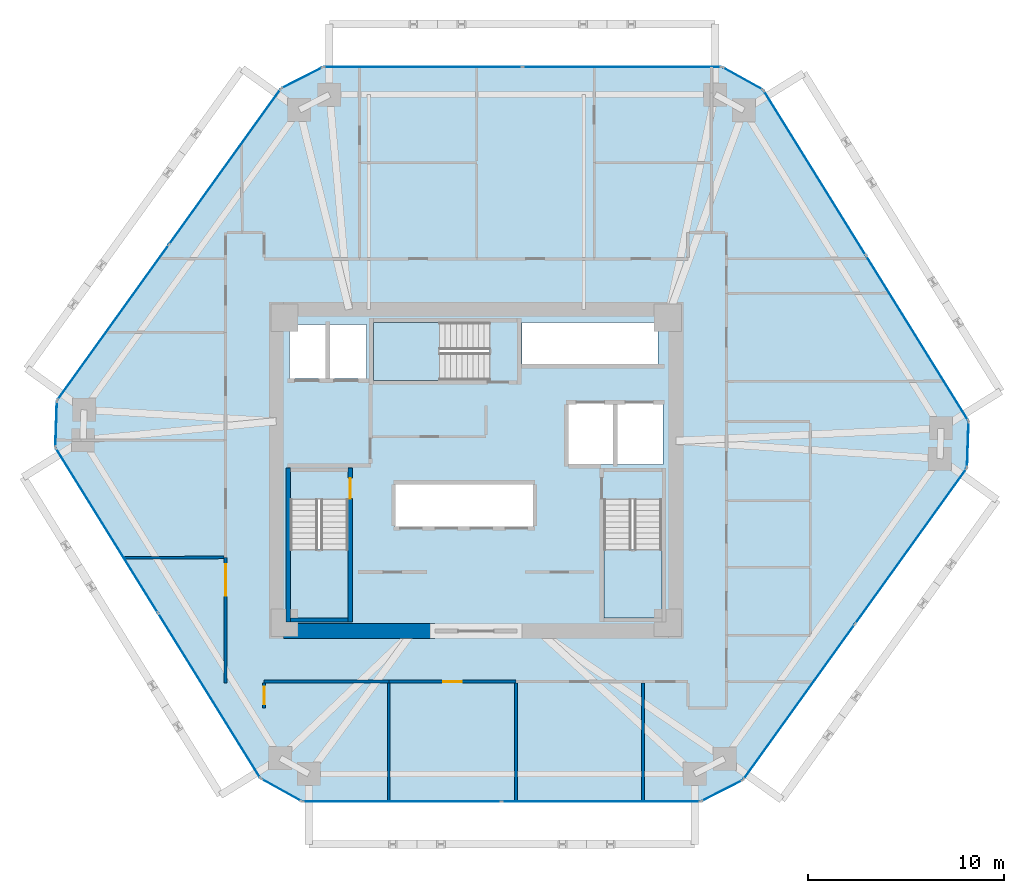
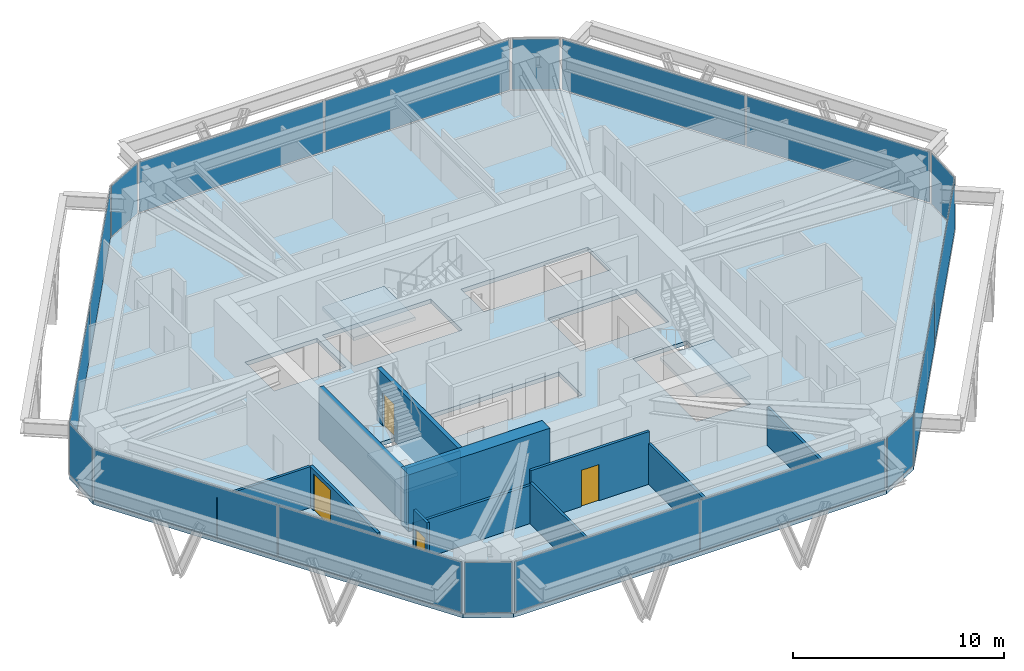
# One storey, part 9 of 14: 18 plates, 12 walls, 4 doors, 4 slabs, 4 openings, 15 elements without a shape of their own.
"""IFC4 building model written with IfcOpenShell, lengths in metres."""

from ifc_helpers import new_model, si_unit, direction, frame, frame_2d, origin, origin_2d, place, context, subcontext, project, spatial, polyline, rectangle, outline, extrude, source, transform, mapped, material, layer, layer_set, type_object, type_shapes, element, fill, aggregate, save


model = new_model("IFC4")

# Units and contexts
model_context = context("Model", 3, precision=1e-05, world=origin(), true_north=direction((0.0, 1.0)))
body_context = subcontext(model_context, "Body", "Model", "MODEL_VIEW")
ifc_project = project(units=[si_unit("LENGTHUNIT", "METRE"), si_unit("AREAUNIT", "SQUARE_METRE"), si_unit("VOLUMEUNIT", "CUBIC_METRE"), si_unit("PLANEANGLEUNIT", "RADIAN"), si_unit("MASSUNIT", "GRAM", prefix="KILO")], contexts=[model_context])

# Site, building, storey
site_placement = place(None, origin())
site = spatial("IfcSite", under=ifc_project, at=site_placement, CompositionType="ELEMENT")
building_placement = place(site_placement, origin())
building = spatial("IfcBuilding", under=site, at=building_placement, Name="Durnholm Broadcast Tower", CompositionType="ELEMENT")
storey_placement = place(building_placement, frame((0.0, 0.0, 114.0)))
storey = spatial("IfcBuildingStorey", under=building, at=storey_placement, Name="L30", CompositionType="ELEMENT", Elevation=114.0)

# Slab
ifc_material_1 = material(Name="Concrete C50/60", Category="concrete")
ifc_layer_1 = layer(ifc_material_1, 0.239990234375)
ifc_layer_set_1 = layer_set([ifc_layer_1], Name="Concrete C50/60")
slab_type_1 = type_object("IfcSlabType", Name="SLAB-FLR-240", PredefinedType="FLOOR", material=ifc_layer_set_1)
slab_1_placement = place(storey_placement, frame((0.0, 0.0, -0.239990234375)))
element("IfcSlab", 1, at=slab_1_placement, inside=storey, type_object=slab_type_1, Name="L30 structural floor slab", PredefinedType="FLOOR", context=body_context, shape_type="SweptSolid", body=[
    extrude(outline(polyline([(-11.012451171875, -15.77001953125), (-8.915283203125, -16.93701171875), (11.51416015625, -16.93701171875), (13.649658203125, -15.841796875), (25.11279296875, 0.114990234375), (25.1943359375, 2.513671875), (14.6904296875, 19.447998046875), (12.59326171875, 20.614990234375), (-7.836181640625, 20.614990234375), (-9.9716796875, 19.519775390625), (-21.434814453125, 3.56298828125), (-21.516357421875, 1.164306640625), (-11.012451171875, -15.77001953125)]), holes=[polyline([(-6.5400390625, -1.5), (-9.5, -1.5), (-9.5, -7.550048828125), (-6.5400390625, -7.550048828125), (-6.5400390625, -1.5)]), polyline([(9.5, -7.550048828125), (9.5, -1.5), (6.5400390625, -1.5), (6.5400390625, -7.550048828125), (9.5, -7.550048828125)]), polyline([(2.949951171875, -0.699951171875), (-4.14990234375, -0.699951171875), (-4.14990234375, -2.89990234375), (2.949951171875, -2.89990234375), (2.949951171875, -0.699951171875)]), polyline([(9.550048828125, 3.39990234375), (4.699951171875, 3.39990234375), (4.699951171875, 0.300048828125), (9.550048828125, 0.300048828125), (9.550048828125, 3.39990234375)]), polyline([(-5.60009765625, 7.449951171875), (-9.550048828125, 7.449951171875), (-9.550048828125, 4.699951171875), (-5.60009765625, 4.699951171875), (-5.60009765625, 7.449951171875)]), polyline([(-5.25, 4.60009765625), (0.699951171875, 4.60009765625), (0.699951171875, 7.56005859375), (-5.25, 7.56005859375), (-5.25, 4.60009765625)]), polyline([(9.31005859375, 7.550048828125), (2.35009765625, 7.550048828125), (2.35009765625, 5.39990234375), (9.31005859375, 5.39990234375), (9.31005859375, 7.550048828125)])]), origin(), (0.0, 0.0, 1.0), 0.239990234375),
])

# Stair, slab
stair_type = type_object("IfcStairType", Name="STAIR-DL-20R1650", PredefinedType="HALF_TURN_STAIR", material=ifc_material_1)
stair_1_placement = place(storey_placement, origin())
stair_1 = element("IfcStair", 2, at=stair_1_placement, inside=storey, type_object=stair_type, Name="L30 ST-1", PredefinedType="HALF_TURN_STAIR")
ifc_layer_2 = layer(ifc_material_1, 0.199951171875)
ifc_layer_set_2 = layer_set([ifc_layer_2], Name="Concrete C50/60")
slab_type_2 = type_object("IfcSlabType", Name="SLAB-LND-200", PredefinedType="LANDING", material=ifc_layer_set_2)
slab_2_placement = place(storey_placement, frame((0.0, 0.0, 1.449951171875)))
slab_2 = element("IfcSlab", 3, at=slab_2_placement, type_object=slab_type_2, Name="ST-1 landing 1", PredefinedType="LANDING", context=body_context, shape_type="SweptSolid", body=[
    extrude(outline(polyline([(-9.5, -4.06494140625), (-9.5, -7.550048828125), (-6.5400390625, -7.550048828125), (-6.5400390625, -4.06494140625), (-9.5, -4.06494140625)])), origin(), (0.0, 0.0, 1.0), 0.199951171875),
])
aggregate(stair_1, [slab_2])

stair_2_placement = place(storey_placement, origin())
stair_2 = element("IfcStair", 4, at=stair_2_placement, inside=storey, type_object=stair_type, Name="L30 ST-2", PredefinedType="HALF_TURN_STAIR")
slab_3_placement = place(storey_placement, frame((0.0, 0.0, 1.449951171875)))
slab_3 = element("IfcSlab", 5, at=slab_3_placement, type_object=slab_type_2, Name="ST-2 landing 1", PredefinedType="LANDING", context=body_context, shape_type="SweptSolid", body=[
    extrude(outline(polyline([(6.5400390625, -4.06494140625), (6.5400390625, -7.550048828125), (9.5, -7.550048828125), (9.5, -4.06494140625), (6.5400390625, -4.06494140625)])), origin(), (0.0, 0.0, 1.0), 0.199951171875),
])
aggregate(stair_2, [slab_3])

stair_3_placement = place(storey_placement, origin())
stair_3 = element("IfcStair", 6, at=stair_3_placement, inside=storey, type_object=stair_type, Name="L30 ST-3", PredefinedType="HALF_TURN_STAIR")
slab_4_placement = place(storey_placement, frame((0.0, 0.0, 1.449951171875)))
slab_4 = element("IfcSlab", 7, at=slab_4_placement, type_object=slab_type_2, Name="ST-3 landing 1", PredefinedType="LANDING", context=body_context, shape_type="SweptSolid", body=[
    extrude(outline(polyline([(-1.864990234375, 7.56005859375), (-5.25, 7.56005859375), (-5.25, 4.60009765625), (-1.864990234375, 4.60009765625), (-1.864990234375, 7.56005859375)])), origin(), (0.0, 0.0, 1.0), 0.199951171875),
])
aggregate(stair_3, [slab_4])

# Curtain wall, plate
ifc_material_2 = material(Name="Aluminium and Solar Control IGU", Category="aluminium")
ifc_layer_3 = layer(ifc_material_2, 0.1650390625)
ifc_layer_set_3 = layer_set([ifc_layer_3], Name="Aluminium and Solar Control IGU")
curtain_wall_type_1 = type_object("IfcCurtainWallType", Name="CW-SYS-5", PredefinedType="NOTDEFINED", material=ifc_layer_set_3)
curtain_wall_1_placement = place(storey_placement, origin())
curtain_wall_1 = element("IfcCurtainWall", 8, at=curtain_wall_1_placement, inside=storey, type_object=curtain_wall_type_1, Name="L30 curtain wall CW-CORNER CW-L30-CRN-01", PredefinedType="NOTDEFINED")
ifc_material_3 = material(Name="Low-E Laminated Insulating Glass", Category="glass")
ifc_layer_4 = layer(ifc_material_3, 0.030029296875)
ifc_layer_set_4 = layer_set([ifc_layer_4], Name="Low-E Laminated Insulating Glass")
plate_type_1 = type_object("IfcPlateType", Name="CW-SYS-5-PNL", PredefinedType="CURTAIN_PANEL", material=ifc_layer_set_4)
shared_shape_1 = source(origin(), body_context, "Body", "SweptSolid", [
    extrude(rectangle(XDim=2.27001953125, YDim=0.030029296875, at=origin_2d()), origin(), (0.0, 0.0, 1.0), 2.929931640625),
])
type_shapes(plate_type_1, [shared_shape_1])
plate_1_placement = place(storey_placement, frame((-21.4755859375, 2.36376953125, 0.06494140625), z_axis=(0.0, 0.0, 1.0), x_axis=(0.033916937775, 0.999424655155, 0.0)))
plate_1 = element("IfcPlate", 9, at=plate_1_placement, type_object=plate_type_1, Name="CW-CORNER panel 1.1", PredefinedType="CURTAIN_PANEL", context=body_context, shape_type="MappedRepresentation", body=[
    mapped(shared_shape_1, transform((0.0, 0.0, 0.0), x_axis=(1.0, 0.0, 0.0), y_axis=(0.0, 1.0, 0.0), z_axis=(0.0, 0.0, 1.0), scale=1.0)),
])
aggregate(curtain_wall_1, [plate_1])

curtain_wall_2_placement = place(storey_placement, origin())
curtain_wall_2 = element("IfcCurtainWall", 10, at=curtain_wall_2_placement, inside=storey, type_object=curtain_wall_type_1, Name="L30 curtain wall CW-CORNER CW-L30-CRN-03", PredefinedType="NOTDEFINED")
plate_2_placement = place(storey_placement, frame((-8.904052734375, 20.0673828125, 0.06494140625), z_axis=(0.0, 0.0, 1.0), x_axis=(0.889788396392, 0.45637332267, 0.0)))
plate_2 = element("IfcPlate", 11, at=plate_2_placement, type_object=plate_type_1, Name="CW-CORNER panel 1.1", PredefinedType="CURTAIN_PANEL", context=body_context, shape_type="MappedRepresentation", body=[
    mapped(shared_shape_1, transform((0.0, 0.0, 0.0), x_axis=(1.0, 0.0, 0.0), y_axis=(0.0, 1.0, 0.0), z_axis=(0.0, 0.0, 1.0), scale=1.0)),
])
aggregate(curtain_wall_2, [plate_2])

curtain_wall_3_placement = place(storey_placement, origin())
curtain_wall_3 = element("IfcCurtainWall", 12, at=curtain_wall_3_placement, inside=storey, type_object=curtain_wall_type_1, Name="L30 curtain wall CW-CORNER CW-L30-CRN-05", PredefinedType="NOTDEFINED")
plate_3_placement = place(storey_placement, frame((13.641845703125, 20.031494140625, 0.06494140625), z_axis=(0.0, 0.0, 1.0), x_axis=(0.873822953715, -0.486244224192, 0.0)))
plate_3 = element("IfcPlate", 13, at=plate_3_placement, type_object=plate_type_1, Name="CW-CORNER panel 1.1", PredefinedType="CURTAIN_PANEL", context=body_context, shape_type="MappedRepresentation", body=[
    mapped(shared_shape_1, transform((0.0, 0.0, 0.0), x_axis=(1.0, 0.0, 0.0), y_axis=(0.0, 1.0, 0.0), z_axis=(0.0, 0.0, 1.0), scale=1.0)),
])
aggregate(curtain_wall_3, [plate_3])

curtain_wall_4_placement = place(storey_placement, origin())
curtain_wall_4 = element("IfcCurtainWall", 14, at=curtain_wall_4_placement, inside=storey, type_object=curtain_wall_type_1, Name="L30 curtain wall CW-CORNER CW-L30-CRN-07", PredefinedType="NOTDEFINED")
plate_4_placement = place(storey_placement, frame((25.153564453125, 1.314208984375, 0.06494140625), z_axis=(0.0, 0.0, 1.0), x_axis=(-0.033916937775, -0.999424655155, 0.0)))
plate_4 = element("IfcPlate", 15, at=plate_4_placement, type_object=plate_type_1, Name="CW-CORNER panel 1.1", PredefinedType="CURTAIN_PANEL", context=body_context, shape_type="MappedRepresentation", body=[
    mapped(shared_shape_1, transform((0.0, 0.0, 0.0), x_axis=(1.0, 0.0, 0.0), y_axis=(0.0, 1.0, 0.0), z_axis=(0.0, 0.0, 1.0), scale=1.0)),
])
aggregate(curtain_wall_4, [plate_4])

curtain_wall_5_placement = place(storey_placement, origin())
curtain_wall_5 = element("IfcCurtainWall", 16, at=curtain_wall_5_placement, inside=storey, type_object=curtain_wall_type_1, Name="L30 curtain wall CW-CORNER CW-L30-CRN-09", PredefinedType="NOTDEFINED")
plate_5_placement = place(storey_placement, frame((12.58203125, -16.389404296875, 0.06494140625), z_axis=(0.0, 0.0, 1.0), x_axis=(-0.889788396392, -0.45637332267, 0.0)))
plate_5 = element("IfcPlate", 17, at=plate_5_placement, type_object=plate_type_1, Name="CW-CORNER panel 1.1", PredefinedType="CURTAIN_PANEL", context=body_context, shape_type="MappedRepresentation", body=[
    mapped(shared_shape_1, transform((0.0, 0.0, 0.0), x_axis=(1.0, 0.0, 0.0), y_axis=(0.0, 1.0, 0.0), z_axis=(0.0, 0.0, 1.0), scale=1.0)),
])
aggregate(curtain_wall_5, [plate_5])

curtain_wall_6_placement = place(storey_placement, origin())
curtain_wall_6 = element("IfcCurtainWall", 18, at=curtain_wall_6_placement, inside=storey, type_object=curtain_wall_type_1, Name="L30 curtain wall CW-CORNER CW-L30-CRN-11", PredefinedType="NOTDEFINED")
plate_6_placement = place(storey_placement, frame((-9.9638671875, -16.353515625, 0.06494140625), z_axis=(0.0, 0.0, 1.0), x_axis=(-0.873822953715, 0.486244224192, 0.0)))
plate_6 = element("IfcPlate", 19, at=plate_6_placement, type_object=plate_type_1, Name="CW-CORNER panel 1.1", PredefinedType="CURTAIN_PANEL", context=body_context, shape_type="MappedRepresentation", body=[
    mapped(shared_shape_1, transform((0.0, 0.0, 0.0), x_axis=(1.0, 0.0, 0.0), y_axis=(0.0, 1.0, 0.0), z_axis=(0.0, 0.0, 1.0), scale=1.0)),
])
aggregate(curtain_wall_6, [plate_6])

# Curtain wall, plates
ifc_layer_5 = layer(ifc_material_2, 0.18994140625)
ifc_layer_set_5 = layer_set([ifc_layer_5], Name="Aluminium and Solar Control IGU")
curtain_wall_type_2 = type_object("IfcCurtainWallType", Name="CW-SYS-3", PredefinedType="NOTDEFINED", material=ifc_layer_set_5)
curtain_wall_7_placement = place(storey_placement, origin())
curtain_wall_7 = element("IfcCurtainWall", 20, at=curtain_wall_7_placement, inside=storey, type_object=curtain_wall_type_2, Name="L30 curtain wall CW-Z12-VIS CW-L30-F02", PredefinedType="NOTDEFINED")
ifc_layer_6 = layer(ifc_material_3, 0.031982421875)
ifc_layer_set_6 = layer_set([ifc_layer_6], Name="Low-E Laminated Insulating Glass")
plate_type_2 = type_object("IfcPlateType", Name="CW-SYS-3-PNL", PredefinedType="CURTAIN_PANEL", material=ifc_layer_set_6)
shared_shape_2 = source(origin(), body_context, "Body", "SweptSolid", [
    extrude(rectangle(XDim=9.71875, YDim=0.031982421875, at=origin_2d()), origin(), (0.0, 0.0, 1.0), 2.919921875),
])
plate_7_placement = place(storey_placement, frame((-18.558837890625, 7.56640625, 0.070068359375), z_axis=(0.0, 0.0, 1.0), x_axis=(0.583445473786, 0.812152312759, 0.0)))
plate_7 = element("IfcPlate", 21, at=plate_7_placement, type_object=plate_type_2, Name="CW-Z12-VIS panel 1.1", PredefinedType="CURTAIN_PANEL", context=body_context, shape_type="MappedRepresentation", body=[
    mapped(shared_shape_2, transform((0.0, 0.0, 0.0), x_axis=(1.0, 0.0, 0.0), y_axis=(0.0, 1.0, 0.0), z_axis=(0.0, 0.0, 1.0), scale=1.0)),
])
plate_8_placement = place(storey_placement, frame((-12.84765625, 15.516357421875, 0.070068359375), z_axis=(0.0, 0.0, 1.0), x_axis=(0.583445473786, 0.812152312759, 0.0)))
plate_8 = element("IfcPlate", 22, at=plate_8_placement, type_object=plate_type_2, Name="CW-Z12-VIS panel 2.1", PredefinedType="CURTAIN_PANEL", context=body_context, shape_type="MappedRepresentation", body=[
    mapped(shared_shape_2, transform((0.0, 0.0, 0.0), x_axis=(1.0, 0.0, 0.0), y_axis=(0.0, 1.0, 0.0), z_axis=(0.0, 0.0, 1.0), scale=1.0)),
])
aggregate(curtain_wall_7, [plate_7, plate_8])

curtain_wall_8_placement = place(storey_placement, origin())
curtain_wall_8 = element("IfcCurtainWall", 23, at=curtain_wall_8_placement, inside=storey, type_object=curtain_wall_type_2, Name="L30 curtain wall CW-Z12-VIS CW-L30-F08", PredefinedType="NOTDEFINED")
plate_9_placement = place(storey_placement, frame((22.23681640625, -3.888427734375, 0.070068359375), z_axis=(0.0, 0.0, 1.0), x_axis=(-0.583445473786, -0.812152312759, 0.0)))
plate_9 = element("IfcPlate", 24, at=plate_9_placement, type_object=plate_type_2, Name="CW-Z12-VIS panel 1.1", PredefinedType="CURTAIN_PANEL", context=body_context, shape_type="MappedRepresentation", body=[
    mapped(shared_shape_2, transform((0.0, 0.0, 0.0), x_axis=(1.0, 0.0, 0.0), y_axis=(0.0, 1.0, 0.0), z_axis=(0.0, 0.0, 1.0), scale=1.0)),
])
plate_10_placement = place(storey_placement, frame((16.525634765625, -11.83837890625, 0.070068359375), z_axis=(0.0, 0.0, 1.0), x_axis=(-0.583445473786, -0.812152312759, 0.0)))
plate_10 = element("IfcPlate", 25, at=plate_10_placement, type_object=plate_type_2, Name="CW-Z12-VIS panel 2.1", PredefinedType="CURTAIN_PANEL", context=body_context, shape_type="MappedRepresentation", body=[
    mapped(shared_shape_2, transform((0.0, 0.0, 0.0), x_axis=(1.0, 0.0, 0.0), y_axis=(0.0, 1.0, 0.0), z_axis=(0.0, 0.0, 1.0), scale=1.0)),
])
aggregate(curtain_wall_8, [plate_9, plate_10])

curtain_wall_9_placement = place(storey_placement, origin())
curtain_wall_9 = element("IfcCurtainWall", 26, at=curtain_wall_9_placement, inside=storey, type_object=curtain_wall_type_2, Name="L30 curtain wall CW-Z12-VIS CW-L30-F04", PredefinedType="NOTDEFINED")
shared_shape_3 = source(origin(), body_context, "Body", "SweptSolid", [
    extrude(rectangle(XDim=10.109619140625, YDim=0.031982421875, at=origin_2d()), origin(), (0.0, 0.0, 1.0), 2.919921875),
])
plate_11_placement = place(storey_placement, frame((-2.71142578125, 20.614990234375, 0.070068359375), z_axis=(0.0, 0.0, 1.0), x_axis=(1.0, 0.0, 0.0)))
plate_11 = element("IfcPlate", 27, at=plate_11_placement, type_object=plate_type_2, Name="CW-Z12-VIS panel 1.1", PredefinedType="CURTAIN_PANEL", context=body_context, shape_type="MappedRepresentation", body=[
    mapped(shared_shape_3, transform((0.0, 0.0, 0.0), x_axis=(1.0, 0.0, 0.0), y_axis=(0.0, 1.0, 0.0), z_axis=(0.0, 0.0, 1.0), scale=1.0)),
])
plate_12_placement = place(storey_placement, frame((7.46826171875, 20.614990234375, 0.070068359375), z_axis=(0.0, 0.0, 1.0), x_axis=(1.0, 0.0, 0.0)))
plate_12 = element("IfcPlate", 28, at=plate_12_placement, type_object=plate_type_2, Name="CW-Z12-VIS panel 2.1", PredefinedType="CURTAIN_PANEL", context=body_context, shape_type="MappedRepresentation", body=[
    mapped(shared_shape_3, transform((0.0, 0.0, 0.0), x_axis=(1.0, 0.0, 0.0), y_axis=(0.0, 1.0, 0.0), z_axis=(0.0, 0.0, 1.0), scale=1.0)),
])
aggregate(curtain_wall_9, [plate_11, plate_12])

curtain_wall_10_placement = place(storey_placement, origin())
curtain_wall_10 = element("IfcCurtainWall", 29, at=curtain_wall_10_placement, inside=storey, type_object=curtain_wall_type_2, Name="L30 curtain wall CW-Z12-VIS CW-L30-F10", PredefinedType="NOTDEFINED")
plate_13_placement = place(storey_placement, frame((6.389404296875, -16.93701171875, 0.070068359375), z_axis=(0.0, 0.0, 1.0), x_axis=(-1.0, 0.0, 0.0)))
plate_13 = element("IfcPlate", 30, at=plate_13_placement, type_object=plate_type_2, Name="CW-Z12-VIS panel 1.1", PredefinedType="CURTAIN_PANEL", context=body_context, shape_type="MappedRepresentation", body=[
    mapped(shared_shape_3, transform((0.0, 0.0, 0.0), x_axis=(1.0, 0.0, 0.0), y_axis=(0.0, 1.0, 0.0), z_axis=(0.0, 0.0, 1.0), scale=1.0)),
])
plate_14_placement = place(storey_placement, frame((-3.790283203125, -16.93701171875, 0.070068359375), z_axis=(0.0, 0.0, 1.0), x_axis=(-1.0, 0.0, 0.0)))
plate_14 = element("IfcPlate", 31, at=plate_14_placement, type_object=plate_type_2, Name="CW-Z12-VIS panel 2.1", PredefinedType="CURTAIN_PANEL", context=body_context, shape_type="MappedRepresentation", body=[
    mapped(shared_shape_3, transform((0.0, 0.0, 0.0), x_axis=(1.0, 0.0, 0.0), y_axis=(0.0, 1.0, 0.0), z_axis=(0.0, 0.0, 1.0), scale=1.0)),
])
aggregate(curtain_wall_10, [plate_13, plate_14])

curtain_wall_11_placement = place(storey_placement, origin())
curtain_wall_11 = element("IfcCurtainWall", 32, at=curtain_wall_11_placement, inside=storey, type_object=curtain_wall_type_2, Name="L30 curtain wall CW-Z12-VIS CW-L30-F06", PredefinedType="NOTDEFINED")
shared_shape_4 = source(origin(), body_context, "Body", "SweptSolid", [
    extrude(rectangle(XDim=9.858642578125, YDim=0.031982421875, at=origin_2d()), origin(), (0.0, 0.0, 1.0), 2.919921875),
])
type_shapes(plate_type_2, [shared_shape_2, shared_shape_3, shared_shape_4])
plate_15_placement = place(storey_placement, frame((17.32568359375, 15.199462890625, 0.070068359375), z_axis=(0.0, 0.0, 1.0), x_axis=(0.527105385176, -0.849799925229, 0.0)))
plate_15 = element("IfcPlate", 33, at=plate_15_placement, type_object=plate_type_2, Name="CW-Z12-VIS panel 1.1", PredefinedType="CURTAIN_PANEL", context=body_context, shape_type="MappedRepresentation", body=[
    mapped(shared_shape_4, transform((0.0, 0.0, 0.0), x_axis=(1.0, 0.0, 0.0), y_axis=(0.0, 1.0, 0.0), z_axis=(0.0, 0.0, 1.0), scale=1.0)),
])
plate_16_placement = place(storey_placement, frame((22.55908203125, 6.761962890625, 0.070068359375), z_axis=(0.0, 0.0, 1.0), x_axis=(0.527105385176, -0.849799925229, 0.0)))
plate_16 = element("IfcPlate", 34, at=plate_16_placement, type_object=plate_type_2, Name="CW-Z12-VIS panel 2.1", PredefinedType="CURTAIN_PANEL", context=body_context, shape_type="MappedRepresentation", body=[
    mapped(shared_shape_4, transform((0.0, 0.0, 0.0), x_axis=(1.0, 0.0, 0.0), y_axis=(0.0, 1.0, 0.0), z_axis=(0.0, 0.0, 1.0), scale=1.0)),
])
aggregate(curtain_wall_11, [plate_15, plate_16])

curtain_wall_12_placement = place(storey_placement, origin())
curtain_wall_12 = element("IfcCurtainWall", 35, at=curtain_wall_12_placement, inside=storey, type_object=curtain_wall_type_2, Name="L30 curtain wall CW-Z12-VIS CW-L30-F12", PredefinedType="NOTDEFINED")
plate_17_placement = place(storey_placement, frame((-13.647705078125, -11.521484375, 0.070068359375), z_axis=(0.0, 0.0, 1.0), x_axis=(-0.527105385176, 0.849799925229, 0.0)))
plate_17 = element("IfcPlate", 36, at=plate_17_placement, type_object=plate_type_2, Name="CW-Z12-VIS panel 1.1", PredefinedType="CURTAIN_PANEL", context=body_context, shape_type="MappedRepresentation", body=[
    mapped(shared_shape_4, transform((0.0, 0.0, 0.0), x_axis=(1.0, 0.0, 0.0), y_axis=(0.0, 1.0, 0.0), z_axis=(0.0, 0.0, 1.0), scale=1.0)),
])
plate_18_placement = place(storey_placement, frame((-18.881103515625, -3.083984375, 0.070068359375), z_axis=(0.0, 0.0, 1.0), x_axis=(-0.527105385176, 0.849799925229, 0.0)))
plate_18 = element("IfcPlate", 37, at=plate_18_placement, type_object=plate_type_2, Name="CW-Z12-VIS panel 2.1", PredefinedType="CURTAIN_PANEL", context=body_context, shape_type="MappedRepresentation", body=[
    mapped(shared_shape_4, transform((0.0, 0.0, 0.0), x_axis=(1.0, 0.0, 0.0), y_axis=(0.0, 1.0, 0.0), z_axis=(0.0, 0.0, 1.0), scale=1.0)),
])
aggregate(curtain_wall_12, [plate_17, plate_18])

# Walls
ifc_material_4 = material(Name="Concrete C70/85", Category="concrete")
ifc_layer_7 = layer(ifc_material_4, 0.75)
ifc_layer_set_7 = layer_set([ifc_layer_7], Name="Concrete C70/85")
wall_type_1 = type_object("IfcWallType", Name="WALL-CW-750", PredefinedType="SHEAR", material=ifc_layer_set_7)
wall_1_placement = place(storey_placement, frame((-9.85009765625, -8.22509765625, 0.0), z_axis=(0.0, 0.0, 1.0), x_axis=(1.0, 0.0, 0.0)))
element("IfcWall", 38, at=wall_1_placement, inside=storey, type_object=wall_type_1, Name="L30 central core shear wall CW-S1", PredefinedType="SHEAR", context=body_context, shape_type="SweptSolid", body=[
    extrude(rectangle(XDim=7.75, YDim=0.75, at=frame_2d((3.875, 0.0))), origin(), (0.0, 0.0, 1.0), 3.300048828125),
])
ifc_material_5 = material(Name="Gypsum Metal Stud Partition", Category="concrete")
ifc_layer_8 = layer(ifc_material_5, 0.135009765625)
ifc_layer_set_8 = layer_set([ifc_layer_8], Name="Gypsum Metal Stud Partition")
wall_type_2 = type_object("IfcWallType", Name="WALL-PART-135", PredefinedType="PARTITIONING", material=ifc_layer_set_8)
for number, where, z_axis, x_axis, name in (
    (39, (-4.4599609375, -10.888916015625, 0.0), (0.0, 0.0, 1.0), (0.0, -1.0, 0.0), "L30 room dividing partition 15.16"),
    (40, (2.0400390625, -10.888916015625, 0.0), (0.0, 0.0, 1.0), (0.0, -1.0, 0.0), "L30 room dividing partition 16.17"),
):
    element("IfcWall", number, at=place(storey_placement, frame(where, z_axis=z_axis, x_axis=x_axis)), inside=storey, type_object=wall_type_2, Name=name, PredefinedType="PARTITIONING", context=body_context, shape_type="SweptSolid", body=[
        extrude(rectangle(XDim=6.048095703125, YDim=0.135009765625, at=frame_2d((3.02392578125, 0.0))), origin(), (0.0, 0.0, 1.0), 2.3798828125),
    ])
wall_2_placement = place(storey_placement, frame((8.5400390625, -10.888916015625, 0.0), z_axis=(0.0, 0.0, 1.0), x_axis=(0.0, -1.0, 0.0)))
element("IfcWall", 41, at=wall_2_placement, inside=storey, type_object=wall_type_2, Name="L30 room dividing partition 17.18", PredefinedType="PARTITIONING", context=body_context, shape_type="SweptSolid", body=[
    extrude(rectangle(XDim=6.048095703125, YDim=0.135009765625, at=frame_2d((3.02392578125, 0.0))), origin(), (0.0, 0.0, 1.0), 2.212158203125),
])
wall_3_placement = place(storey_placement, frame((-18.0146484375, -4.481201171875, 0.0), z_axis=(0.0, 0.0, 1.0), x_axis=(0.999991610624, 0.004096179019, 0.0)))
element("IfcWall", 42, at=wall_3_placement, inside=storey, type_object=wall_type_2, Name="L30 room dividing partition 19.20", PredefinedType="PARTITIONING", context=body_context, shape_type="SweptSolid", body=[
    extrude(rectangle(XDim=5.125732421875, YDim=0.135009765625, at=frame_2d((2.56298828125, 0.0))), origin(), (0.0, 0.0, 1.0), 2.3798828125),
])
ifc_material_6 = material(Name="Acoustic Gypsum Stud Partition", Category="concrete")
ifc_layer_9 = layer(ifc_material_6, 0.14990234375)
ifc_layer_set_9 = layer_set([ifc_layer_9], Name="Acoustic Gypsum Stud Partition")
wall_type_3 = type_object("IfcWallType", Name="WALL-PART-150", PredefinedType="PARTITIONING", material=ifc_layer_set_9)
wall_4_placement = place(storey_placement, frame((-10.840087890625, -10.81005859375, 0.0), z_axis=(0.0, 0.0, 1.0), x_axis=(1.0, 0.0, 0.0)))
element("IfcWall", 43, at=wall_4_placement, inside=storey, type_object=wall_type_3, Name="L30 Open Plan Broadcast Workspace 4 corridor partition", PredefinedType="PARTITIONING", context=body_context, shape_type="SweptSolid", body=[
    extrude(rectangle(XDim=6.380126953125, YDim=0.14990234375, at=frame_2d((3.18994140625, 0.0))), origin(), (0.0, 0.0, 1.0), 2.212158203125),
])

# Wall, opening, door
wall_5_placement = place(storey_placement, frame((-10.840087890625, -12.159912109375, 0.0), z_axis=(0.0, 0.0, 1.0), x_axis=(0.0, 1.0, 0.0)))
wall_5 = element("IfcWall", 44, at=wall_5_placement, inside=storey, type_object=wall_type_3, Name="L30 Open Plan Broadcast Workspace 4 corridor partition", PredefinedType="PARTITIONING", context=body_context, shape_type="SweptSolid", body=[
    extrude(rectangle(XDim=1.27099609375, YDim=0.14990234375, at=frame_2d((0.635498046875, 0.0))), origin(), (0.0, 0.0, 1.0), 3.044921875),
])
opening_1_placement = place(wall_5_placement, frame((0.185546875, 0.0, 0.0)))
opening_1 = element("IfcOpeningElement", 45, at=opening_1_placement, cuts=wall_5, Name="Opening DW-90L", PredefinedType="OPENING", context=body_context, shape_type="SweptSolid", body=[
    extrude(rectangle(XDim=0.89990234375, YDim=2.050048828125, at=frame_2d((0.449951171875, 1.02490234375))), frame((0.0, 0.0849609375, 0.0), z_axis=(0.0, -1.0, 0.0), x_axis=(1.0, 0.0, 0.0)), (0.0, 0.0, 1.0), 0.169921875),
])
ifc_material_7 = material(Name="Laminate Restroom Door", Category="steel")
ifc_layer_10 = layer(ifc_material_7, 0.050048828125)
ifc_layer_set_10 = layer_set([ifc_layer_10], Name="Laminate Restroom Door")
door_type_1 = type_object("IfcDoorType", Name="DOOR-WC-900L", OperationType="NOTDEFINED", PredefinedType="DOOR", material=ifc_layer_set_10)
shared_shape_5 = source(origin(), body_context, "Body", "SweptSolid", [
    extrude(rectangle(XDim=0.89990234375, YDim=2.050048828125, at=frame_2d((0.449951171875, 1.02490234375))), frame((0.0, 0.02490234375, 0.0), z_axis=(0.0, -1.0, 0.0), x_axis=(1.0, 0.0, 0.0)), (0.0, 0.0, 1.0), 0.050048828125),
])
type_shapes(door_type_1, [shared_shape_5])
door_1_placement = place(opening_1_placement, origin())
door_1 = element("IfcDoor", 46, at=door_1_placement, inside=storey, type_object=door_type_1, Name="L30 Open Plan Broadcast Workspace 4 entrance door", OperationType="SINGLE_SWING_LEFT", OverallHeight=2.050048828125, OverallWidth=0.89990234375, PredefinedType="DOOR", context=body_context, shape_type="MappedRepresentation", body=[
    mapped(shared_shape_5, transform((0.0, 0.0, 0.0), x_axis=(1.0, 0.0, 0.0), y_axis=(0.0, 1.0, 0.0), z_axis=(0.0, 0.0, 1.0), scale=1.0)),
])
fill(opening_1, door_1)

wall_6_placement = place(storey_placement, frame((-4.4599609375, -10.81005859375, 0.0), z_axis=(0.0, 0.0, 1.0), x_axis=(1.0, 0.0, 0.0)))
wall_6 = element("IfcWall", 47, at=wall_6_placement, inside=storey, type_object=wall_type_3, Name="L30 Syndication Meeting Room 1 corridor partition", PredefinedType="PARTITIONING", context=body_context, shape_type="SweptSolid", body=[
    extrude(rectangle(XDim=6.5, YDim=0.14990234375, at=frame_2d((3.25, 0.0))), origin(), (0.0, 0.0, 1.0), 3.044921875),
])
opening_2_placement = place(wall_6_placement, frame((2.77490234375, 0.0, 0.0)))
opening_2 = element("IfcOpeningElement", 48, at=opening_2_placement, cuts=wall_6, Name="Opening DR-95R", PredefinedType="OPENING", context=body_context, shape_type="SweptSolid", body=[
    extrude(rectangle(XDim=0.949951171875, YDim=2.10009765625, at=frame_2d((0.47509765625, 1.050048828125))), frame((0.0, 0.0849609375, 0.0), z_axis=(0.0, -1.0, 0.0), x_axis=(1.0, 0.0, 0.0)), (0.0, 0.0, 1.0), 0.169921875),
])
ifc_material_8 = material(Name="Acoustic Oak Veneer Timber Door", Category="wood")
ifc_layer_11 = layer(ifc_material_8, 0.050048828125)
ifc_layer_set_11 = layer_set([ifc_layer_11], Name="Acoustic Oak Veneer Timber Door")
door_type_2 = type_object("IfcDoorType", Name="DOOR-RM-950R", OperationType="NOTDEFINED", PredefinedType="DOOR", material=ifc_layer_set_11)
shared_shape_6 = source(origin(), body_context, "Body", "SweptSolid", [
    extrude(rectangle(XDim=0.949951171875, YDim=2.10009765625, at=frame_2d((0.47509765625, 1.050048828125))), frame((0.0, 0.02490234375, 0.0), z_axis=(0.0, -1.0, 0.0), x_axis=(1.0, 0.0, 0.0)), (0.0, 0.0, 1.0), 0.050048828125),
])
type_shapes(door_type_2, [shared_shape_6])
door_2_placement = place(opening_2_placement, origin())
door_2 = element("IfcDoor", 49, at=door_2_placement, inside=storey, type_object=door_type_2, Name="L30 Syndication Meeting Room 1 entrance door", OperationType="SINGLE_SWING_RIGHT", OverallHeight=2.10009765625, OverallWidth=0.949951171875, PredefinedType="DOOR", context=body_context, shape_type="MappedRepresentation", body=[
    mapped(shared_shape_6, transform((0.0, 0.0, 0.0), x_axis=(1.0, 0.0, 0.0), y_axis=(0.0, 1.0, 0.0), z_axis=(0.0, 0.0, 1.0), scale=1.0)),
])
fill(opening_2, door_2)

wall_7_placement = place(storey_placement, frame((-12.81005859375, -4.4599609375, 0.0), z_axis=(0.0, 0.0, 1.0), x_axis=(0.0, -1.0, 0.0)))
wall_7 = element("IfcWall", 50, at=wall_7_placement, inside=storey, type_object=wall_type_3, Name="L30 Sales Presentation Hall corridor partition", PredefinedType="PARTITIONING", context=body_context, shape_type="SweptSolid", body=[
    extrude(rectangle(XDim=6.429931640625, YDim=0.14990234375, at=frame_2d((3.21484375, 0.0))), origin(), (0.0, 0.0, 1.0), 2.3798828125),
])
opening_3_placement = place(wall_7_placement, frame((0.35009765625, 0.0, 0.0)))
opening_3 = element("IfcOpeningElement", 51, at=opening_3_placement, cuts=wall_7, Name="Opening DST-160", PredefinedType="OPENING", context=body_context, shape_type="SweptSolid", body=[
    extrude(rectangle(XDim=1.60009765625, YDim=2.14990234375, at=frame_2d((0.800048828125, 1.074951171875))), frame((0.0, 0.0849609375, 0.0), z_axis=(0.0, -1.0, 0.0), x_axis=(1.0, 0.0, 0.0)), (0.0, 0.0, 1.0), 0.169921875),
])
ifc_material_9 = material(Name="Acoustic Broadcast Studio Sound-Lock Door", Category="steel")
ifc_layer_12 = layer(ifc_material_9, 0.050048828125)
ifc_layer_set_12 = layer_set([ifc_layer_12], Name="Acoustic Broadcast Studio Sound-Lock Door")
door_type_3 = type_object("IfcDoorType", Name="DOOR-STU-1600", OperationType="DOUBLE_DOOR_SINGLE_SWING", PredefinedType="DOOR", material=ifc_layer_set_12)
shared_shape_7 = source(origin(), body_context, "Body", "SweptSolid", [
    extrude(rectangle(XDim=1.60009765625, YDim=2.14990234375, at=frame_2d((0.800048828125, 1.074951171875))), frame((0.0, 0.02490234375, 0.0), z_axis=(0.0, -1.0, 0.0), x_axis=(1.0, 0.0, 0.0)), (0.0, 0.0, 1.0), 0.050048828125),
])
type_shapes(door_type_3, [shared_shape_7])
door_3_placement = place(opening_3_placement, origin())
door_3 = element("IfcDoor", 52, at=door_3_placement, inside=storey, type_object=door_type_3, Name="L30 Sales Presentation Hall entrance door", OperationType="DOUBLE_DOOR_SINGLE_SWING", OverallHeight=2.14990234375, OverallWidth=1.60009765625, PredefinedType="DOOR", context=body_context, shape_type="MappedRepresentation", body=[
    mapped(shared_shape_7, transform((0.0, 0.0, 0.0), x_axis=(1.0, 0.0, 0.0), y_axis=(0.0, 1.0, 0.0), z_axis=(0.0, 0.0, 1.0), scale=1.0)),
])
fill(opening_3, door_3)

ifc_layer_13 = layer(ifc_material_1, 0.219970703125)
ifc_layer_set_13 = layer_set([ifc_layer_13], Name="Concrete C50/60")
wall_type_4 = type_object("IfcWallType", Name="WALL-SW-220", PredefinedType="SHEAR", material=ifc_layer_set_13)
wall_8_placement = place(storey_placement, frame((-6.429931640625, -7.77001953125, -0.239990234375), z_axis=(0.0, 0.0, 1.0), x_axis=(0.0, 1.0, 0.0)))
wall_8 = element("IfcWall", 53, at=wall_8_placement, inside=storey, type_object=wall_type_4, Name="L30 stair ST-1 structural shaft wall E", PredefinedType="SHEAR", context=body_context, shape_type="SweptSolid", body=[
    extrude(rectangle(XDim=7.89013671875, YDim=0.219970703125, at=frame_2d((3.945068359375, 0.0))), origin(), (0.0, 0.0, 1.0), 3.300048828125),
])
opening_4_placement = place(wall_8_placement, frame((6.320068359375, 0.0, 0.0)))
opening_4 = element("IfcOpeningElement", 54, at=opening_4_placement, cuts=wall_8, Name="Opening DS-90L", PredefinedType="OPENING", context=body_context, shape_type="SweptSolid", body=[
    extrude(rectangle(XDim=1.050048828125, YDim=2.14990234375, at=frame_2d((0.52490234375, 1.074951171875))), frame((0.0, 0.1201171875, 0.0), z_axis=(0.0, -1.0, 0.0), x_axis=(1.0, 0.0, 0.0)), (0.0, 0.0, 1.0), 0.239990234375),
])
ifc_material_10 = material(Name="Fire-Rated Steel Door", Category="steel")
ifc_layer_14 = layer(ifc_material_10, 0.050048828125)
ifc_layer_set_14 = layer_set([ifc_layer_14], Name="Fire-Rated Steel Door")
door_type_4 = type_object("IfcDoorType", Name="DOOR-ST-FD90-L", OperationType="NOTDEFINED", PredefinedType="DOOR", material=ifc_layer_set_14)
shared_shape_8 = source(origin(), body_context, "Body", "SweptSolid", [
    extrude(rectangle(XDim=1.050048828125, YDim=2.14990234375, at=frame_2d((0.52490234375, 1.074951171875))), frame((0.0, 0.02490234375, 0.0), z_axis=(0.0, -1.0, 0.0), x_axis=(1.0, 0.0, 0.0)), (0.0, 0.0, 1.0), 0.050048828125),
])
type_shapes(door_type_4, [shared_shape_8])
door_4_placement = place(opening_4_placement, origin())
door_4 = element("IfcDoor", 55, at=door_4_placement, inside=storey, type_object=door_type_4, Name="L30 exit stair ST-1 fire door", OperationType="SINGLE_SWING_LEFT", OverallHeight=2.14990234375, OverallWidth=1.050048828125, PredefinedType="DOOR", context=body_context, shape_type="MappedRepresentation", body=[
    mapped(shared_shape_8, transform((0.0, 0.0, 0.0), x_axis=(1.0, 0.0, 0.0), y_axis=(0.0, 1.0, 0.0), z_axis=(0.0, 0.0, 1.0), scale=1.0)),
])
fill(opening_4, door_4)

# Walls
wall_9_placement = place(storey_placement, frame((-9.610107421875, 0.1201171875, -0.239990234375), z_axis=(0.0, 0.0, 1.0), x_axis=(0.0, -1.0, 0.0)))
element("IfcWall", 56, at=wall_9_placement, inside=storey, type_object=wall_type_4, Name="L30 stair ST-1 structural shaft wall W", PredefinedType="SHEAR", context=body_context, shape_type="SweptSolid", body=[
    extrude(rectangle(XDim=7.89013671875, YDim=0.219970703125, at=frame_2d((3.945068359375, 0.0))), origin(), (0.0, 0.0, 1.0), 3.300048828125),
])
wall_10_placement = place(storey_placement, frame((-9.5, -7.659912109375, -0.239990234375), z_axis=(0.0, 0.0, 1.0), x_axis=(1.0, 0.0, 0.0)))
element("IfcWall", 57, at=wall_10_placement, inside=storey, type_object=wall_type_4, Name="L30 stair ST-1 structural shaft wall S", PredefinedType="SHEAR", context=body_context, shape_type="SweptSolid", body=[
    extrude(rectangle(XDim=2.9599609375, YDim=0.219970703125, at=frame_2d((1.47998046875, 0.0))), origin(), (0.0, 0.0, 1.0), 3.300048828125),
])

save(model, "model.ifc")
